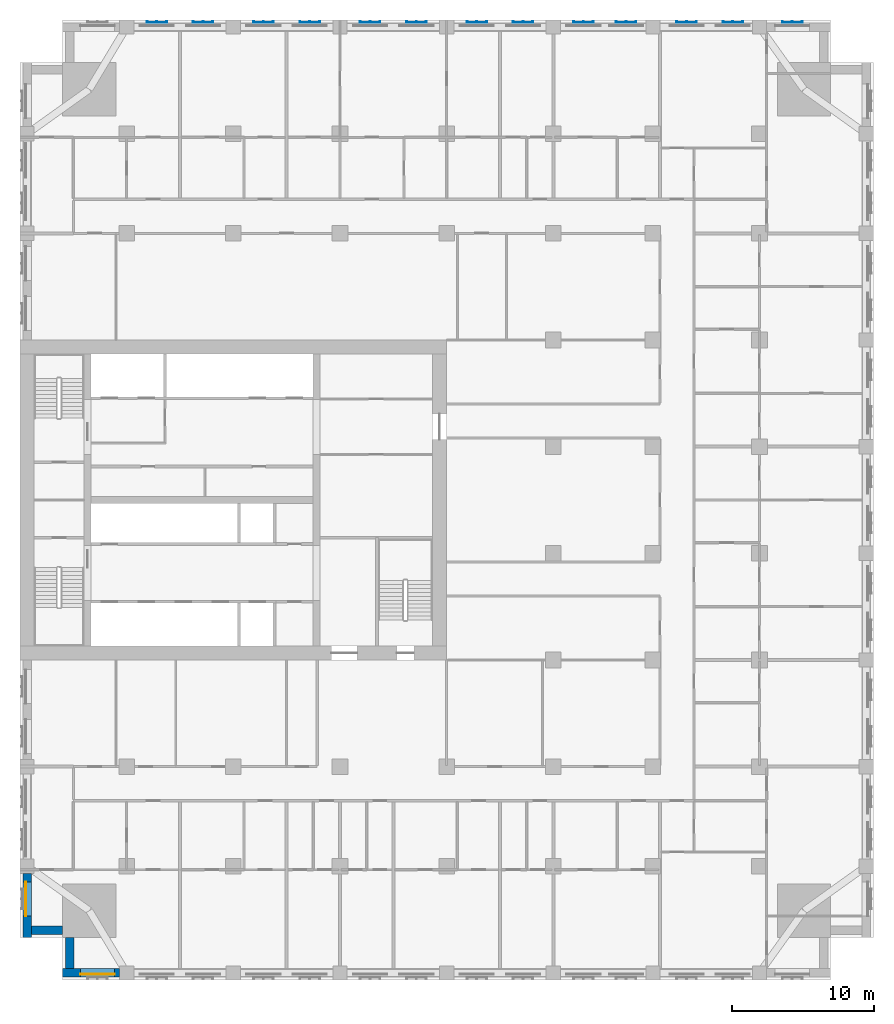
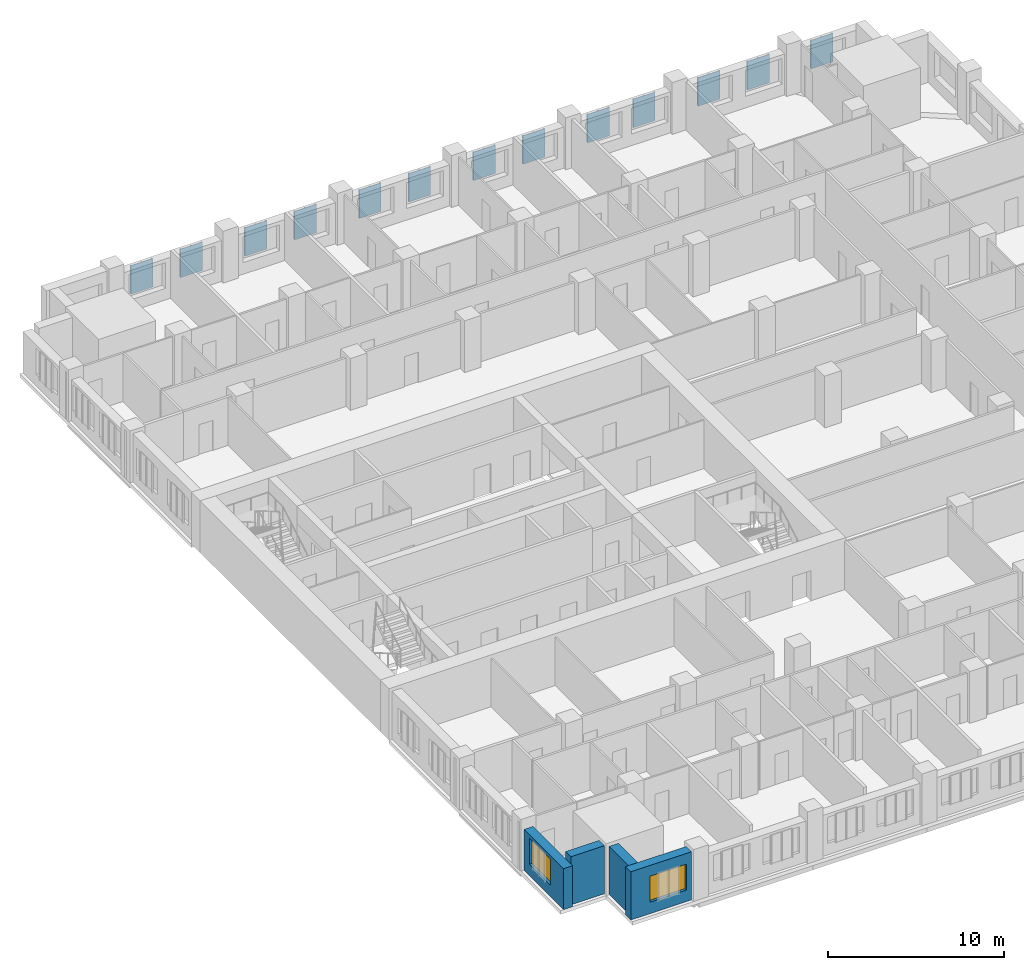
# One storey, part 3 of 14: 13 plates, 4 walls, 2 windows, 2 openings.
"""IFC4 building model written with IfcOpenShell, lengths in metres."""

from ifc_helpers import new_model, si_unit, direction, frame, frame_2d, origin, place, context, subcontext, project, spatial, polyline, rectangle, outline, extrude, material, layer, layer_set, type_object, element, fill, save


model = new_model("IFC4")

# Units and contexts
model_context = context("Model", 3, precision=1e-05, world=origin(), true_north=direction((0.0, 1.0)))
body_context = subcontext(model_context, "Body", "Model", "MODEL_VIEW")
ifc_project = project(units=[si_unit("LENGTHUNIT", "METRE"), si_unit("AREAUNIT", "SQUARE_METRE"), si_unit("VOLUMEUNIT", "CUBIC_METRE"), si_unit("PLANEANGLEUNIT", "RADIAN"), si_unit("MASSUNIT", "GRAM", prefix="KILO")], contexts=[model_context])

# Site, building, storey
site_placement = place(None, origin())
site = spatial("IfcSite", under=ifc_project, at=site_placement, CompositionType="ELEMENT")
building_placement = place(site_placement, origin())
building = spatial("IfcBuilding", under=site, at=building_placement, Name="Tamorin Gate", CompositionType="ELEMENT")
storey_placement = place(building_placement, frame((0.0, 0.0, 104.300048828125)))
storey = spatial("IfcBuildingStorey", under=building, at=storey_placement, Name="L25", CompositionType="ELEMENT", Elevation=104.300048828125)

# Plates
ifc_material_1 = material(Name="Perforated pale aluminium sheet", Category="aluminium")
ifc_layer_1 = layer(ifc_material_1, 0.0400390625)
ifc_layer_set_1 = layer_set([ifc_layer_1], Name="Pale metal solar screen 1440")
plate_type = type_object("IfcPlateType", Name="Pale metal solar screen 1440", PredefinedType="SHEET", material=ifc_layer_set_1)
plate_1_placement = place(storey_placement, frame((0.0, 0.0, 0.7099609375)))
element("IfcPlate", 1, at=plate_1_placement, inside=storey, type_object=plate_type, Name="Perforated solar screen", PredefinedType="SHEET", context=body_context, shape_type="SweptSolid", body=[
    extrude(outline(polyline([(85.02001953125, 104.840087890625), (85.02001953125, 104.800048828125), (84.9599609375, 104.800048828125), (84.330078125, 104.800048828125), (84.27001953125, 104.800048828125), (83.639892578125, 104.800048828125), (83.580078125, 104.800048828125), (83.580078125, 104.840087890625), (83.580078125, 104.89990234375), (83.639892578125, 104.89990234375), (83.639892578125, 104.840087890625), (84.27001953125, 104.840087890625), (84.27001953125, 104.89990234375), (84.330078125, 104.89990234375), (84.330078125, 104.840087890625), (84.9599609375, 104.840087890625), (84.9599609375, 104.89990234375), (85.02001953125, 104.89990234375), (85.02001953125, 104.840087890625)])), origin(), (0.0, 0.0, 1.0), 1.97998046875),
])
plate_2_placement = place(storey_placement, frame((0.0, 0.0, 0.7099609375)))
element("IfcPlate", 2, at=plate_2_placement, inside=storey, type_object=plate_type, Name="Perforated solar screen", PredefinedType="SHEET", context=body_context, shape_type="SweptSolid", body=[
    extrude(outline(polyline([(77.594970703125, 104.840087890625), (77.594970703125, 104.800048828125), (77.534912109375, 104.800048828125), (76.905029296875, 104.800048828125), (76.844970703125, 104.800048828125), (76.215087890625, 104.800048828125), (76.155029296875, 104.800048828125), (76.155029296875, 104.840087890625), (76.155029296875, 104.89990234375), (76.215087890625, 104.89990234375), (76.215087890625, 104.840087890625), (76.844970703125, 104.840087890625), (76.844970703125, 104.89990234375), (76.905029296875, 104.89990234375), (76.905029296875, 104.840087890625), (77.534912109375, 104.840087890625), (77.534912109375, 104.89990234375), (77.594970703125, 104.89990234375), (77.594970703125, 104.840087890625)])), origin(), (0.0, 0.0, 1.0), 1.97998046875),
])
plate_3_placement = place(storey_placement, frame((0.0, 0.0, 0.7099609375)))
element("IfcPlate", 3, at=plate_3_placement, inside=storey, type_object=plate_type, Name="Perforated solar screen", PredefinedType="SHEET", context=body_context, shape_type="SweptSolid", body=[
    extrude(outline(polyline([(80.844970703125, 104.840087890625), (80.844970703125, 104.800048828125), (80.784912109375, 104.800048828125), (80.155029296875, 104.800048828125), (80.094970703125, 104.800048828125), (79.465087890625, 104.800048828125), (79.405029296875, 104.800048828125), (79.405029296875, 104.800048828125), (79.405029296875, 104.840087890625), (79.405029296875, 104.840087890625), (79.405029296875, 104.89990234375), (79.465087890625, 104.89990234375), (79.465087890625, 104.840087890625), (80.094970703125, 104.840087890625), (80.094970703125, 104.89990234375), (80.155029296875, 104.89990234375), (80.155029296875, 104.840087890625), (80.784912109375, 104.840087890625), (80.784912109375, 104.89990234375), (80.844970703125, 104.89990234375), (80.844970703125, 104.840087890625)])), origin(), (0.0, 0.0, 1.0), 1.97998046875),
])
plate_4_placement = place(storey_placement, frame((0.0, 0.0, 0.7099609375)))
element("IfcPlate", 4, at=plate_4_placement, inside=storey, type_object=plate_type, Name="Perforated solar screen", PredefinedType="SHEET", context=body_context, shape_type="SweptSolid", body=[
    extrude(outline(polyline([(70.344970703125, 104.840087890625), (70.344970703125, 104.800048828125), (70.284912109375, 104.800048828125), (69.655029296875, 104.800048828125), (69.594970703125, 104.800048828125), (68.965087890625, 104.800048828125), (68.905029296875, 104.800048828125), (68.905029296875, 104.840087890625), (68.905029296875, 104.89990234375), (68.965087890625, 104.89990234375), (68.965087890625, 104.840087890625), (69.594970703125, 104.840087890625), (69.594970703125, 104.89990234375), (69.655029296875, 104.89990234375), (69.655029296875, 104.840087890625), (70.284912109375, 104.840087890625), (70.284912109375, 104.89990234375), (70.344970703125, 104.89990234375), (70.344970703125, 104.840087890625)])), origin(), (0.0, 0.0, 1.0), 1.97998046875),
])
plate_5_placement = place(storey_placement, frame((0.0, 0.0, 0.7099609375)))
element("IfcPlate", 5, at=plate_5_placement, inside=storey, type_object=plate_type, Name="Perforated solar screen", PredefinedType="SHEET", context=body_context, shape_type="SweptSolid", body=[
    extrude(outline(polyline([(73.344970703125, 104.840087890625), (73.344970703125, 104.800048828125), (73.284912109375, 104.800048828125), (72.655029296875, 104.800048828125), (72.594970703125, 104.800048828125), (71.965087890625, 104.800048828125), (71.905029296875, 104.800048828125), (71.905029296875, 104.840087890625), (71.905029296875, 104.89990234375), (71.965087890625, 104.89990234375), (71.965087890625, 104.840087890625), (72.594970703125, 104.840087890625), (72.594970703125, 104.89990234375), (72.655029296875, 104.89990234375), (72.655029296875, 104.840087890625), (73.284912109375, 104.840087890625), (73.284912109375, 104.89990234375), (73.344970703125, 104.89990234375), (73.344970703125, 104.840087890625)])), origin(), (0.0, 0.0, 1.0), 1.97998046875),
])
plate_6_placement = place(storey_placement, frame((0.0, 0.0, 0.7099609375)))
element("IfcPlate", 6, at=plate_6_placement, inside=storey, type_object=plate_type, Name="Perforated solar screen", PredefinedType="SHEET", context=body_context, shape_type="SweptSolid", body=[
    extrude(outline(polyline([(62.844970703125, 104.840087890625), (62.844970703125, 104.800048828125), (62.784912109375, 104.800048828125), (62.155029296875, 104.800048828125), (62.094970703125, 104.800048828125), (61.465087890625, 104.800048828125), (61.405029296875, 104.800048828125), (61.405029296875, 104.840087890625), (61.405029296875, 104.89990234375), (61.465087890625, 104.89990234375), (61.465087890625, 104.840087890625), (62.094970703125, 104.840087890625), (62.094970703125, 104.89990234375), (62.155029296875, 104.89990234375), (62.155029296875, 104.840087890625), (62.784912109375, 104.840087890625), (62.784912109375, 104.89990234375), (62.844970703125, 104.89990234375), (62.844970703125, 104.840087890625)])), origin(), (0.0, 0.0, 1.0), 1.97998046875),
])
plate_7_placement = place(storey_placement, frame((0.0, 0.0, 0.7099609375)))
element("IfcPlate", 7, at=plate_7_placement, inside=storey, type_object=plate_type, Name="Perforated solar screen", PredefinedType="SHEET", context=body_context, shape_type="SweptSolid", body=[
    extrude(outline(polyline([(66.094970703125, 104.840087890625), (66.094970703125, 104.800048828125), (66.034912109375, 104.800048828125), (65.405029296875, 104.800048828125), (65.344970703125, 104.800048828125), (64.715087890625, 104.800048828125), (64.655029296875, 104.800048828125), (64.655029296875, 104.840087890625), (64.655029296875, 104.89990234375), (64.715087890625, 104.89990234375), (64.715087890625, 104.840087890625), (65.344970703125, 104.840087890625), (65.344970703125, 104.89990234375), (65.405029296875, 104.89990234375), (65.405029296875, 104.840087890625), (66.034912109375, 104.840087890625), (66.034912109375, 104.89990234375), (66.094970703125, 104.89990234375), (66.094970703125, 104.840087890625)])), origin(), (0.0, 0.0, 1.0), 1.97998046875),
])
plate_8_placement = place(storey_placement, frame((0.0, 0.0, 0.7099609375)))
element("IfcPlate", 8, at=plate_8_placement, inside=storey, type_object=plate_type, Name="Perforated solar screen", PredefinedType="SHEET", context=body_context, shape_type="SweptSolid", body=[
    extrude(outline(polyline([(55.344970703125, 104.840087890625), (55.344970703125, 104.800048828125), (55.284912109375, 104.800048828125), (54.655029296875, 104.800048828125), (54.594970703125, 104.800048828125), (53.965087890625, 104.800048828125), (53.905029296875, 104.800048828125), (53.905029296875, 104.840087890625), (53.905029296875, 104.89990234375), (53.965087890625, 104.89990234375), (53.965087890625, 104.840087890625), (54.594970703125, 104.840087890625), (54.594970703125, 104.89990234375), (54.655029296875, 104.89990234375), (54.655029296875, 104.840087890625), (55.284912109375, 104.840087890625), (55.284912109375, 104.89990234375), (55.344970703125, 104.89990234375), (55.344970703125, 104.840087890625)])), origin(), (0.0, 0.0, 1.0), 1.97998046875),
])
plate_9_placement = place(storey_placement, frame((0.0, 0.0, 0.7099609375)))
element("IfcPlate", 9, at=plate_9_placement, inside=storey, type_object=plate_type, Name="Perforated solar screen", PredefinedType="SHEET", context=body_context, shape_type="SweptSolid", body=[
    extrude(outline(polyline([(58.594970703125, 104.840087890625), (58.594970703125, 104.800048828125), (58.534912109375, 104.800048828125), (57.905029296875, 104.800048828125), (57.844970703125, 104.800048828125), (57.215087890625, 104.800048828125), (57.155029296875, 104.800048828125), (57.155029296875, 104.840087890625), (57.155029296875, 104.89990234375), (57.215087890625, 104.89990234375), (57.215087890625, 104.840087890625), (57.844970703125, 104.840087890625), (57.844970703125, 104.89990234375), (57.905029296875, 104.89990234375), (57.905029296875, 104.840087890625), (58.534912109375, 104.840087890625), (58.534912109375, 104.89990234375), (58.594970703125, 104.89990234375), (58.594970703125, 104.840087890625)])), origin(), (0.0, 0.0, 1.0), 1.97998046875),
])
plate_10_placement = place(storey_placement, frame((0.0, 0.0, 0.7099609375)))
element("IfcPlate", 10, at=plate_10_placement, inside=storey, type_object=plate_type, Name="Perforated solar screen", PredefinedType="SHEET", context=body_context, shape_type="SweptSolid", body=[
    extrude(outline(polyline([(47.844970703125, 104.840087890625), (47.844970703125, 104.800048828125), (47.784912109375, 104.800048828125), (47.155029296875, 104.800048828125), (47.094970703125, 104.800048828125), (46.465087890625, 104.800048828125), (46.405029296875, 104.800048828125), (46.405029296875, 104.840087890625), (46.405029296875, 104.89990234375), (46.465087890625, 104.89990234375), (46.465087890625, 104.840087890625), (47.094970703125, 104.840087890625), (47.094970703125, 104.89990234375), (47.155029296875, 104.89990234375), (47.155029296875, 104.840087890625), (47.784912109375, 104.840087890625), (47.784912109375, 104.89990234375), (47.844970703125, 104.89990234375), (47.844970703125, 104.840087890625)])), origin(), (0.0, 0.0, 1.0), 1.97998046875),
])
plate_11_placement = place(storey_placement, frame((0.0, 0.0, 0.7099609375)))
element("IfcPlate", 11, at=plate_11_placement, inside=storey, type_object=plate_type, Name="Perforated solar screen", PredefinedType="SHEET", context=body_context, shape_type="SweptSolid", body=[
    extrude(outline(polyline([(51.094970703125, 104.840087890625), (51.094970703125, 104.800048828125), (51.034912109375, 104.800048828125), (50.405029296875, 104.800048828125), (50.344970703125, 104.800048828125), (49.715087890625, 104.800048828125), (49.655029296875, 104.800048828125), (49.655029296875, 104.840087890625), (49.655029296875, 104.89990234375), (49.715087890625, 104.89990234375), (49.715087890625, 104.840087890625), (50.344970703125, 104.840087890625), (50.344970703125, 104.89990234375), (50.405029296875, 104.89990234375), (50.405029296875, 104.840087890625), (51.034912109375, 104.840087890625), (51.034912109375, 104.89990234375), (51.094970703125, 104.89990234375), (51.094970703125, 104.840087890625)])), origin(), (0.0, 0.0, 1.0), 1.97998046875),
])
plate_12_placement = place(storey_placement, frame((0.0, 0.0, 0.7099609375)))
element("IfcPlate", 12, at=plate_12_placement, inside=storey, type_object=plate_type, Name="Perforated solar screen", PredefinedType="SHEET", context=body_context, shape_type="SweptSolid", body=[
    extrude(outline(polyline([(40.344970703125, 104.840087890625), (40.344970703125, 104.800048828125), (40.284912109375, 104.800048828125), (39.655029296875, 104.800048828125), (39.594970703125, 104.800048828125), (38.965087890625, 104.800048828125), (38.905029296875, 104.800048828125), (38.905029296875, 104.840087890625), (38.905029296875, 104.89990234375), (38.965087890625, 104.89990234375), (38.965087890625, 104.840087890625), (39.594970703125, 104.840087890625), (39.594970703125, 104.89990234375), (39.655029296875, 104.89990234375), (39.655029296875, 104.840087890625), (40.284912109375, 104.840087890625), (40.284912109375, 104.89990234375), (40.344970703125, 104.89990234375), (40.344970703125, 104.840087890625)])), origin(), (0.0, 0.0, 1.0), 1.97998046875),
])
plate_13_placement = place(storey_placement, frame((0.0, 0.0, 0.7099609375)))
element("IfcPlate", 13, at=plate_13_placement, inside=storey, type_object=plate_type, Name="Perforated solar screen", PredefinedType="SHEET", context=body_context, shape_type="SweptSolid", body=[
    extrude(outline(polyline([(43.594970703125, 104.840087890625), (43.594970703125, 104.800048828125), (43.534912109375, 104.800048828125), (42.905029296875, 104.800048828125), (42.844970703125, 104.800048828125), (42.215087890625, 104.800048828125), (42.155029296875, 104.800048828125), (42.155029296875, 104.840087890625), (42.155029296875, 104.89990234375), (42.215087890625, 104.89990234375), (42.215087890625, 104.840087890625), (42.844970703125, 104.840087890625), (42.844970703125, 104.89990234375), (42.905029296875, 104.89990234375), (42.905029296875, 104.840087890625), (43.534912109375, 104.840087890625), (43.534912109375, 104.89990234375), (43.594970703125, 104.89990234375), (43.594970703125, 104.840087890625)])), origin(), (0.0, 0.0, 1.0), 1.97998046875),
])

# Wall, opening, window
ifc_material_2 = material(Name="Precast concrete C40/50", Category="concrete")
ifc_layer_2 = layer(ifc_material_2, 0.60009765625)
ifc_layer_set_2 = layer_set([ifc_layer_2], Name="Precast concrete C40/50")
wall_type = type_object("IfcWallType", Name="Board-marked concrete facade panel 600", PredefinedType="SOLIDWALL", material=ifc_layer_set_2)
wall_1_placement = place(storey_placement, frame((33.0, 38.0, 0.0), z_axis=(0.0, 0.0, 1.0), x_axis=(1.0, 0.0, 0.0)))
wall_1 = element("IfcWall", 14, at=wall_1_placement, inside=storey, type_object=wall_type, Name="Facade panel", PredefinedType="SOLIDWALL", context=body_context, shape_type="SweptSolid", body=[
    extrude(rectangle(XDim=4.0, YDim=0.60009765625, at=frame_2d((2.0, 0.0))), origin(), (0.0, 0.0, 1.0), 3.349853515625),
])
opening_1_placement = place(wall_1_placement, frame((1.25, 0.0, 0.800048828125)))
opening_1 = element("IfcOpeningElement", 15, at=opening_1_placement, cuts=wall_1, Name="Opening WN1", PredefinedType="OPENING", context=body_context, shape_type="SweptSolid", body=[
    extrude(rectangle(XDim=2.39990234375, YDim=1.800048828125, at=frame_2d((1.199951171875, 0.89990234375))), frame((0.0, 0.31005859375, 0.0), z_axis=(0.0, -1.0, 0.0), x_axis=(1.0, 0.0, 0.0)), (0.0, 0.0, 1.0), 0.6201171875),
])
ifc_material_3 = material(Name="Clear glass in aluminium frame", Category="aluminium")
window_type = type_object("IfcWindowType", Name="Deep-set window 2400x1800", PartitioningType="SINGLE_PANEL", PredefinedType="WINDOW", material=ifc_material_3)
window_1_placement = place(opening_1_placement, origin())
window_1 = element("IfcWindow", 16, at=window_1_placement, inside=storey, type_object=window_type, Name="Deep-set window", OverallHeight=1.800048828125, OverallWidth=2.39990234375, PartitioningType="SINGLE_PANEL", PredefinedType="WINDOW", context=body_context, shape_type="SweptSolid", body=[
    extrude(rectangle(XDim=2.39990234375, YDim=1.800048828125, at=frame_2d((1.199951171875, 0.89990234375))), frame((0.0, -0.070068359375, 0.0), z_axis=(0.0, -1.0, 0.0), x_axis=(1.0, 0.0, 0.0)), (0.0, 0.0, 1.0), 0.06005859375),
])
fill(opening_1, window_1)

wall_2_placement = place(storey_placement, frame((30.5, 45.0, 0.0), z_axis=(0.0, 0.0, 1.0), x_axis=(0.0, -1.0, 0.0)))
wall_2 = element("IfcWall", 17, at=wall_2_placement, inside=storey, type_object=wall_type, Name="Facade panel", PredefinedType="SOLIDWALL", context=body_context, shape_type="SweptSolid", body=[
    extrude(rectangle(XDim=4.5, YDim=0.60009765625, at=frame_2d((2.25, 0.0))), origin(), (0.0, 0.0, 1.0), 2.849853515625),
])
opening_2_placement = place(wall_2_placement, frame((0.60009765625, 0.0, 0.800048828125)))
opening_2 = element("IfcOpeningElement", 18, at=opening_2_placement, cuts=wall_2, Name="Opening WN1", PredefinedType="OPENING", context=body_context, shape_type="SweptSolid", body=[
    extrude(rectangle(XDim=2.39990234375, YDim=1.800048828125, at=frame_2d((1.199951171875, 0.89990234375))), frame((0.0, 0.31005859375, 0.0), z_axis=(0.0, -1.0, 0.0), x_axis=(1.0, 0.0, 0.0)), (0.0, 0.0, 1.0), 0.6201171875),
])
window_2_placement = place(opening_2_placement, origin())
window_2 = element("IfcWindow", 19, at=window_2_placement, inside=storey, type_object=window_type, Name="Deep-set window", OverallHeight=1.800048828125, OverallWidth=2.39990234375, PartitioningType="SINGLE_PANEL", PredefinedType="WINDOW", context=body_context, shape_type="SweptSolid", body=[
    extrude(rectangle(XDim=2.39990234375, YDim=1.800048828125, at=frame_2d((1.199951171875, 0.89990234375))), frame((0.0, -0.070068359375, 0.0), z_axis=(0.0, -1.0, 0.0), x_axis=(1.0, 0.0, 0.0)), (0.0, 0.0, 1.0), 0.06005859375),
])
fill(opening_2, window_2)

# Walls
for number, where, z_axis, x_axis, name in (
    (20, (30.800048828125, 41.0, 0.0), (0.0, 0.0, 1.0), (1.0, 0.0, 0.0), "Facade panel"),
    (21, (33.5, 40.5, 0.0), (0.0, 0.0, 1.0), (0.0, -1.0, 0.0), "Facade panel"),
):
    element("IfcWall", number, at=place(storey_placement, frame(where, z_axis=z_axis, x_axis=x_axis)), inside=storey, type_object=wall_type, Name=name, PredefinedType="SOLIDWALL", context=body_context, shape_type="SweptSolid", body=[
        extrude(rectangle(XDim=2.199951171875, YDim=0.60009765625, at=frame_2d((1.10009765625, 0.0))), origin(), (0.0, 0.0, 1.0), 3.349853515625),
    ])

save(model, "model.ifc")
